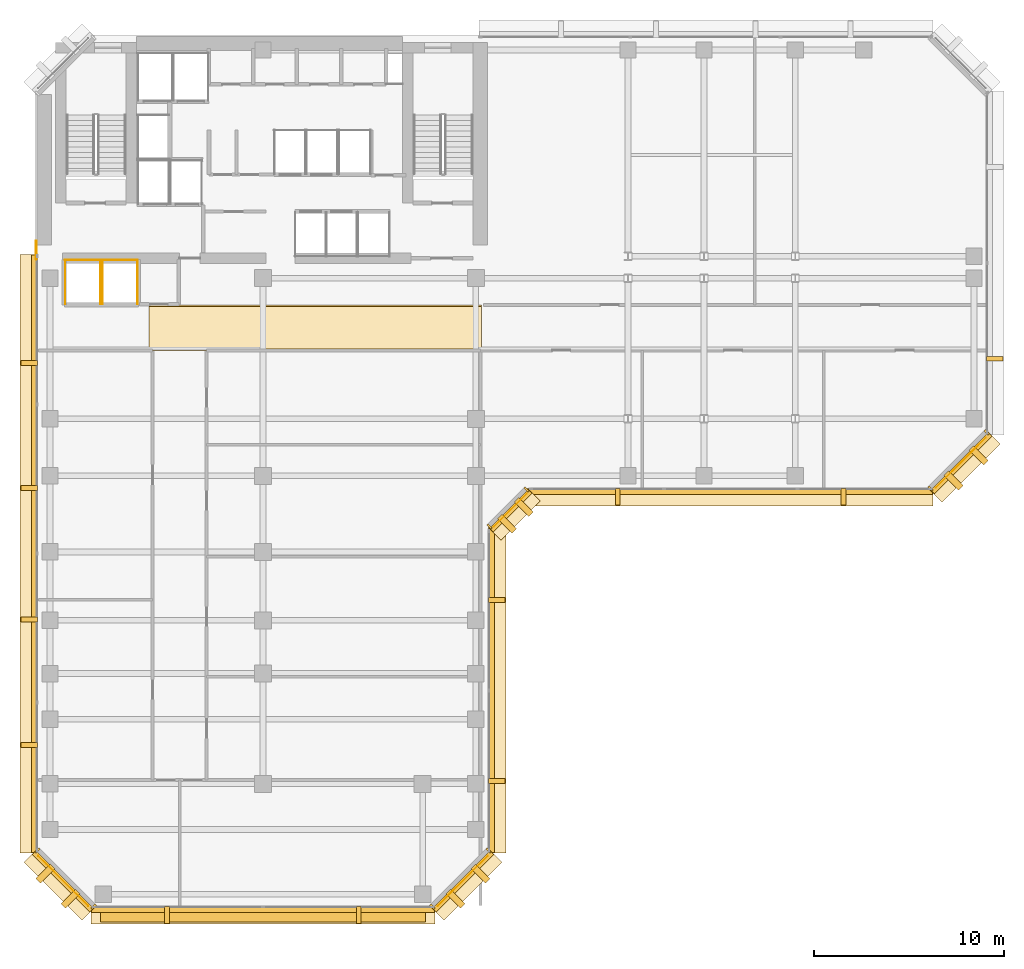
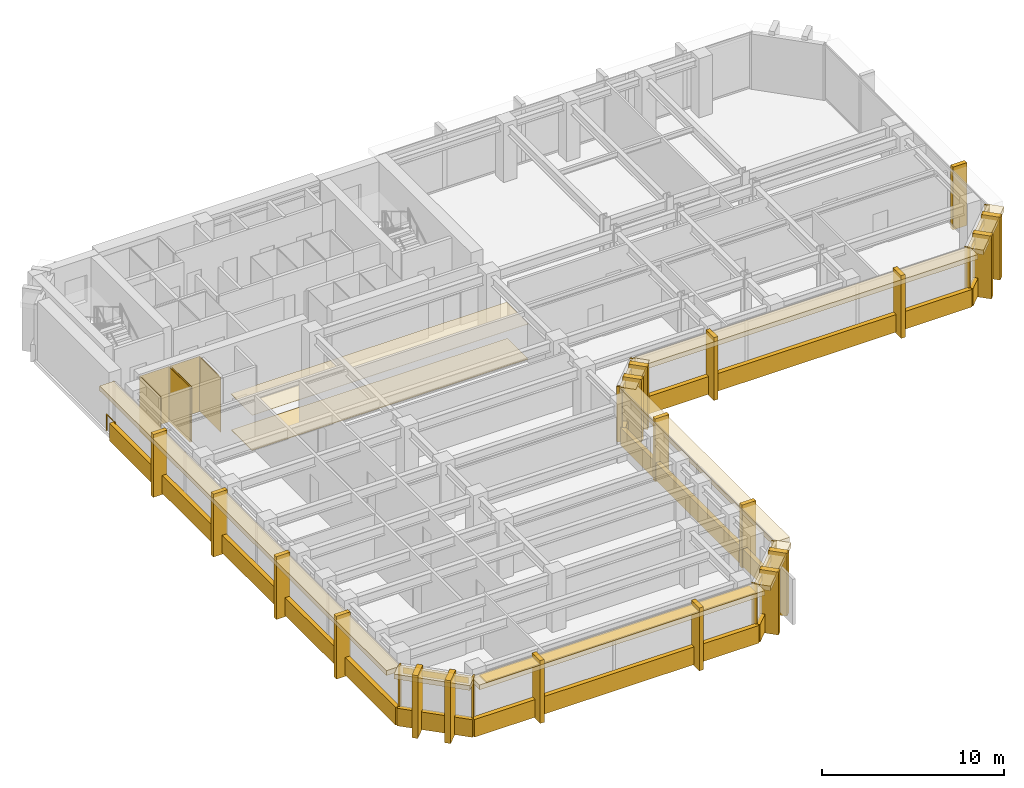
# One storey, part 9 of 11: 55 coverings, 1 railing, 1 shading device.
"""IFC4 building model written with IfcOpenShell, lengths in metres."""

import ifcopenshell
import ifcopenshell.guid

model = None  # the IFC model being written
_history = None  # IfcOwnerHistory: only IFC2X3 demands one
_inside = {}  # id of a spatial element -> (the spatial element, [elements in it])
_under = {}  # id of a project, library or spatial element -> (it, [spatial elements below it])
_declared = {}  # id of a project -> (the project, [libraries it declares])
_typed = {}  # id of a type object -> (the type object, [elements of that type])
_made_of = {}  # id of a material, layer set ... -> (it, [elements and type objects made of it])


def new_model(schema):
    """Start an empty IFC model of exactly this schema.

    Asked for "IFC4X3", IfcOpenShell would pick the latest addendum, in which some entities
    have other attributes; the version numbers below select the first issue.
    IFC2X3 requires an IfcOwnerHistory on every rooted entity: one is made here for all.
    """
    global model, _history
    if schema == "IFC4X3":
        model = ifcopenshell.file(schema_version=(4, 3, 0, 0))
    else:
        model = ifcopenshell.file(schema=schema)
    _inside.clear()
    _under.clear()
    _declared.clear()
    _typed.clear()
    _made_of.clear()
    _history = None
    if model.schema == "IFC2X3":
        org = make("IfcOrganization", Name="unknown")
        user = make(
            "IfcPersonAndOrganization",
            ThePerson=make("IfcPerson", FamilyName="unknown"),
            TheOrganization=org,
        )
        app = make(
            "IfcApplication",
            ApplicationDeveloper=org,
            Version="unknown",
            ApplicationFullName="unknown",
            ApplicationIdentifier="unknown",
        )
        _history = make(
            "IfcOwnerHistory",
            OwningUser=user,
            OwningApplication=app,
            ChangeAction="ADDED",
            CreationDate=0,
        )
    return model


def make(cls, **values):
    """One entity of the class cls with the attributes given. An attribute that is None is left unset."""
    return model.create_entity(
        cls, **{name: value for name, value in values.items() if value is not None}
    )


def rooted(cls, **values):
    """An entity with a GlobalId (a new one), such as an element, a storey or a relation."""
    return make(cls, GlobalId=ifcopenshell.guid.new(), OwnerHistory=_history, **values)


def si_unit(unit_type, name, prefix=None):
    """IfcSIUnit, for example si_unit("LENGTHUNIT", "METRE", prefix="MILLI")."""
    return make("IfcSIUnit", UnitType=unit_type, Prefix=prefix, Name=name)


def assignment(units):
    """IfcUnitAssignment: the units of a project."""
    return None if units is None else make("IfcUnitAssignment", Units=units)


def point(xyz):
    """IfcCartesianPoint."""
    return None if xyz is None else make("IfcCartesianPoint", Coordinates=xyz)


def direction(xyz):
    """IfcDirection."""
    return None if xyz is None else make("IfcDirection", DirectionRatios=xyz)


def frame(location, z_axis=None, x_axis=None):
    """IfcAxis2Placement3D, a coordinate frame: its origin and axes. An axis left out is left unset."""
    return make(
        "IfcAxis2Placement3D",
        Location=point(location),
        Axis=direction(z_axis),
        RefDirection=direction(x_axis),
    )


def frame_2d(location, x_axis=None):
    """IfcAxis2Placement2D, a coordinate frame in the plane: its origin and x axis."""
    return make(
        "IfcAxis2Placement2D", Location=point(location), RefDirection=direction(x_axis)
    )


def origin():
    """The frame at (0, 0, 0) with its axes left unset."""
    return frame((0.0, 0.0, 0.0))


def origin_2d():
    """The frame at (0, 0) in the plane with its x axis left unset."""
    return frame_2d((0.0, 0.0))


def place(relative_to, where):
    """IfcLocalPlacement: puts the frame where relative to a parent placement (None: the world)."""
    return make(
        "IfcLocalPlacement", PlacementRelTo=relative_to, RelativePlacement=where
    )


def context(
    kind, dimensions, precision=None, world=None, true_north=None, identifier=None
):
    """IfcGeometricRepresentationContext, for example the 3D "Model" context."""
    return make(
        "IfcGeometricRepresentationContext",
        ContextIdentifier=identifier,
        ContextType=kind,
        CoordinateSpaceDimension=dimensions,
        Precision=precision,
        WorldCoordinateSystem=world,
        TrueNorth=true_north,
    )


def subcontext(parent, identifier, kind, view, scale=None):
    """IfcGeometricRepresentationSubContext, for example "Body" below "Model"."""
    return make(
        "IfcGeometricRepresentationSubContext",
        ContextIdentifier=identifier,
        ContextType=kind,
        ParentContext=parent,
        TargetScale=scale,
        TargetView=view,
    )


def project(units=None, contexts=None):
    """IfcProject with its units and contexts."""
    return rooted(
        "IfcProject",
        Name="project",
        RepresentationContexts=contexts,
        UnitsInContext=assignment(units),
    )


def spatial(cls, under=None, at=None, **own):
    """A site, building, storey or space (cls), placed at a placement, below another one or the project."""
    s = rooted(cls, ObjectPlacement=at, **own)
    if under is not None:
        _under.setdefault(under.id(), (under, []))[1].append(s)
    return s


def polyline(points):
    """IfcPolyline through the points."""
    return make("IfcPolyline", Points=[point(p) for p in points])


def profile(cls, at=None, kind="AREA", **sizes):
    """A parametric profile (cls). Its sizes go by their IFC names, for example OverallWidth=200.0."""
    return make(cls, ProfileType=kind, Position=at, **sizes)


def rectangle(**sizes):
    """IfcRectangleProfileDef."""
    return profile("IfcRectangleProfileDef", **sizes)


def circle(**sizes):
    """IfcCircleProfileDef."""
    return profile("IfcCircleProfileDef", **sizes)


def outline(outer, holes=None, kind="AREA"):
    """IfcArbitraryClosedProfileDef: a profile drawn as a closed curve; with holes, ...WithVoids."""
    if holes is None:
        return make("IfcArbitraryClosedProfileDef", ProfileType=kind, OuterCurve=outer)
    return make(
        "IfcArbitraryProfileDefWithVoids",
        ProfileType=kind,
        OuterCurve=outer,
        InnerCurves=holes,
    )


def extrude(swept, where, along, depth):
    """IfcExtrudedAreaSolid: the profile swept, set in the frame where, extruded along a direction by depth."""
    return make(
        "IfcExtrudedAreaSolid",
        SweptArea=swept,
        Position=where,
        ExtrudedDirection=direction(along),
        Depth=depth,
    )


def shape(context_of_items, identifier, shape_type, items):
    """IfcShapeRepresentation: the items that make up one representation, for example the "Body"."""
    return make(
        "IfcShapeRepresentation",
        ContextOfItems=context_of_items,
        RepresentationIdentifier=identifier,
        RepresentationType=shape_type,
        Items=items,
    )


def material(Name=None, Category=None):
    """IfcMaterial."""
    return make("IfcMaterial", Name=Name, Category=Category)


def layer(
    of_material, thickness, ventilated=None, Name=None, Category=None, Priority=None
):
    """IfcMaterialLayer: one layer of a wall or slab, of a material (None: an air gap)."""
    return make(
        "IfcMaterialLayer",
        Material=of_material,
        LayerThickness=thickness,
        IsVentilated=ventilated,
        Name=Name,
        Category=Category,
        Priority=Priority,
    )


def layer_set(layers, Name=None):
    """IfcMaterialLayerSet."""
    return make("IfcMaterialLayerSet", MaterialLayers=layers, LayerSetName=Name)


def made_of(thing, what):
    """Note that an element or type object is made of a material, layer set ...; save() writes the relation."""
    if what is not None:
        _made_of.setdefault(what.id(), (what, []))[1].append(thing)
    return thing


def type_object(cls, material=None, **own):
    """A type object (cls), such as IfcWallType, which elements share."""
    return made_of(rooted(cls, **own), material)


def element(
    cls,
    number,
    at=None,
    inside=None,
    cuts=None,
    type_object=None,
    material=None,
    context=None,
    identifier="Body",
    shape_type=None,
    held_by="IfcProductDefinitionShape",
    body=None,
    shapes=None,
    **own,
):
    """One element of the class cls, such as IfcWall. Its Tag is "e" and its number.

    at: its placement. inside: the storey or other place that contains it. cuts: it is an
    opening in that element (IfcRelVoidsElement). A single representation is given by context,
    identifier, shape_type and body (its items); several are given by shapes. held_by: the class
    of the entity that holds the representations. save() writes the other relations.
    """
    e = rooted(cls, Tag="e%d" % number, ObjectPlacement=at, **own)
    if body is not None:
        shapes = [shape(context, identifier, shape_type, body)]
    if shapes is not None:
        e.Representation = make(held_by, Representations=shapes)
    if inside is not None:
        _inside.setdefault(inside.id(), (inside, []))[1].append(e)
    if cuts is not None:
        rooted(
            "IfcRelVoidsElement", RelatingBuildingElement=cuts, RelatedOpeningElement=e
        )
    if type_object is not None:
        _typed.setdefault(type_object.id(), (type_object, []))[1].append(e)
    return made_of(e, material)


def aggregate(whole, parts):
    """IfcRelAggregates: a whole, such as a stair, and the parts it consists of."""
    return rooted("IfcRelAggregates", RelatingObject=whole, RelatedObjects=parts)


def save(model, path):
    """Write the relations noted so far, then the file.

    IfcRelAggregates (storeys below a building ...), IfcRelContainedInSpatialStructure (elements
    in a storey), IfcRelDefinesByType, IfcRelAssociatesMaterial and IfcRelDeclares: one each for
    every whole, place, type object, material and project.
    """
    for whole, parts in _under.values():
        aggregate(whole, parts)
    for where, things in _inside.values():
        rooted(
            "IfcRelContainedInSpatialStructure",
            RelatedElements=things,
            RelatingStructure=where,
        )
    for kind, things in _typed.values():
        rooted("IfcRelDefinesByType", RelatedObjects=things, RelatingType=kind)
    for what, things in _made_of.values():
        rooted("IfcRelAssociatesMaterial", RelatedObjects=things, RelatingMaterial=what)
    for by, libraries in _declared.values():
        rooted("IfcRelDeclares", RelatingContext=by, RelatedDefinitions=libraries)
    model.write(path)


model = new_model("IFC4")

# Units and contexts
model_context = context("Model", 3, precision=1e-05, world=origin(), true_north=direction((0.0, 1.0)))
body_context = subcontext(model_context, "Body", "Model", "MODEL_VIEW")
ifc_project = project(units=[si_unit("LENGTHUNIT", "METRE"), si_unit("AREAUNIT", "SQUARE_METRE"), si_unit("VOLUMEUNIT", "CUBIC_METRE"), si_unit("PLANEANGLEUNIT", "RADIAN"), si_unit("MASSUNIT", "GRAM", prefix="KILO")], contexts=[model_context])

# Site, building, storey
site_placement = place(None, origin())
site = spatial("IfcSite", under=ifc_project, at=site_placement, CompositionType="ELEMENT")
building_placement = place(site_placement, origin())
building = spatial("IfcBuilding", under=site, at=building_placement, Name="Kefirva Bronze Tower", CompositionType="ELEMENT")
storey_placement = place(building_placement, frame((0.0, 0.0, 150.81005859375)))
storey = spatial("IfcBuildingStorey", under=building, at=storey_placement, Name="L36", CompositionType="ELEMENT", Elevation=150.81005859375)

# Coverings
ifc_material_1 = material(Name="Acoustic mineral tile")
ifc_layer_1 = layer(ifc_material_1, 0.02490234375, Name="Acoustic mineral tile")
ifc_layer_set_1 = layer_set([ifc_layer_1], Name="Acoustic mineral tile")
covering_type_1 = type_object("IfcCoveringType", Name="Acoustic Mineral Suspended Ceiling 25mm", PredefinedType="CEILING", material=ifc_layer_set_1)
covering_1_placement = place(storey_placement, frame((0.0, 0.0, 2.39990234375)))
element("IfcCovering", 1, at=covering_1_placement, inside=storey, type_object=covering_type_1, Name="L36 Corridor Acoustic Ceiling", PredefinedType="CEILING", context=body_context, shape_type="SweptSolid", body=[
    extrude(outline(polyline([(6.0, 29.39990234375), (23.5, 29.39990234375), (23.5, 31.800048828125), (6.0, 31.800048828125), (6.0, 29.39990234375)])), origin(), (0.0, 0.0, 1.0), 0.025146484375),
])
ifc_material_2 = material(Name="Bronze anodised aluminium", Category="aluminium")
ifc_layer_2 = layer(ifc_material_2, 0.02001953125, Name="Bronze anodised aluminium")
ifc_layer_set_2 = layer_set([ifc_layer_2], Name="Bronze anodised aluminium")
covering_type_2 = type_object("IfcCoveringType", Name="Anodised Bronze Spandrel Cladding 20mm", PredefinedType="CLADDING", material=ifc_layer_set_2)
covering_2_placement = place(storey_placement, frame((12.0, -0.0400390625, -0.16015625), z_axis=(0.0, 0.0, 1.0), x_axis=(1.0, 0.0, 0.0)))
element("IfcCovering", 2, at=covering_2_placement, inside=storey, type_object=covering_type_2, Name="L36 Streamline Horizontal Spandrel Band 0", PredefinedType="CLADDING", context=body_context, shape_type="SweptSolid", body=[
    extrude(rectangle(XDim=18.0400390625, YDim=0.280029296875, at=origin_2d()), origin(), (0.0, 0.0, 1.0), 1.179931640625),
])
covering_3_placement = place(storey_placement, frame((22.507080078125, 1.492919921875, 3.2900390625), z_axis=(0.0, 0.0, 1.0), x_axis=(0.707106781187, 0.707106781187, 0.0)))
element("IfcCovering", 3, at=covering_3_placement, inside=storey, type_object=covering_type_2, Name="L36 Bronze Spandrel Cladding 1", PredefinedType="CLADDING", context=body_context, shape_type="SweptSolid", body=[
    extrude(rectangle(XDim=3.719482421875, YDim=0.02001953125, at=origin_2d()), origin(), (0.0, 0.0, 1.0), 0.39990234375),
])
for number, where, z_axis, x_axis, name in (
    (4, (20.91162109375, 0.137939453125, 0.0), (0.0, 0.0, 1.0), (0.707106781187, 0.707106781187, 0.0), "L36 Facade Joint Closure Panel 1S"),
    (5, (23.862060546875, 3.08837890625, 0.0), (0.0, 0.0, 1.0), (0.707106781187, 0.707106781187, 0.0), "L36 Facade Joint Closure Panel 1E"),
):
    element("IfcCovering", number, at=place(storey_placement, frame(where, z_axis=z_axis, x_axis=x_axis)), inside=storey, type_object=covering_type_2, Name=name, PredefinedType="CLADDING", context=body_context, shape_type="SweptSolid", body=[
        extrude(rectangle(XDim=0.10009765625, YDim=0.320068359375, at=origin_2d()), origin(), (0.0, 0.0, 1.0), 3.7099609375),
    ])
covering_4_placement = place(storey_placement, frame((22.5283203125, 1.4716796875, -0.16015625), z_axis=(0.0, 0.0, 1.0), x_axis=(0.707106781187, 0.707106781187, 0.0)))
element("IfcCovering", 6, at=covering_4_placement, inside=storey, type_object=covering_type_2, Name="L36 Streamline Horizontal Spandrel Band 1", PredefinedType="CLADDING", context=body_context, shape_type="SweptSolid", body=[
    extrude(rectangle(XDim=4.28271484375, YDim=0.280029296875, at=origin_2d()), origin(), (0.0, 0.0, 1.0), 1.179931640625),
])
covering_5_placement = place(storey_placement, frame((24.0400390625, 11.5, -0.16015625), z_axis=(0.0, 0.0, 1.0), x_axis=(0.0, 1.0, 0.0)))
element("IfcCovering", 7, at=covering_5_placement, inside=storey, type_object=covering_type_2, Name="L36 Streamline Horizontal Spandrel Band 2", PredefinedType="CLADDING", context=body_context, shape_type="SweptSolid", body=[
    extrude(rectangle(XDim=17.0400390625, YDim=0.280029296875, at=origin_2d()), origin(), (0.0, 0.0, 1.0), 1.179931640625),
])
covering_6_placement = place(storey_placement, frame((25.007080078125, 20.992919921875, 3.2900390625), z_axis=(0.0, 0.0, 1.0), x_axis=(0.707106781187, 0.707106781187, 0.0)))
element("IfcCovering", 8, at=covering_6_placement, inside=storey, type_object=covering_type_2, Name="L36 Bronze Spandrel Cladding 2", PredefinedType="CLADDING", context=body_context, shape_type="SweptSolid", body=[
    extrude(rectangle(XDim=2.446533203125, YDim=0.02001953125, at=origin_2d()), origin(), (0.0, 0.0, 1.0), 0.39990234375),
])
for number, where, z_axis, x_axis, name in (
    (9, (23.91162109375, 20.137939453125, 0.0), (0.0, 0.0, 1.0), (0.707106781187, 0.707106781187, 0.0), "L36 Facade Joint Closure Panel 2S"),
    (10, (25.862060546875, 22.08837890625, 0.0), (0.0, 0.0, 1.0), (0.707106781187, 0.707106781187, 0.0), "L36 Facade Joint Closure Panel 2E"),
):
    element("IfcCovering", number, at=place(storey_placement, frame(where, z_axis=z_axis, x_axis=x_axis)), inside=storey, type_object=covering_type_2, Name=name, PredefinedType="CLADDING", context=body_context, shape_type="SweptSolid", body=[
        extrude(rectangle(XDim=0.10009765625, YDim=0.320068359375, at=origin_2d()), origin(), (0.0, 0.0, 1.0), 3.7099609375),
    ])
covering_7_placement = place(storey_placement, frame((25.0283203125, 20.9716796875, -0.16015625), z_axis=(0.0, 0.0, 1.0), x_axis=(0.707106781187, 0.707106781187, 0.0)))
element("IfcCovering", 11, at=covering_7_placement, inside=storey, type_object=covering_type_2, Name="L36 Streamline Horizontal Spandrel Band 3", PredefinedType="CLADDING", context=body_context, shape_type="SweptSolid", body=[
    extrude(rectangle(XDim=2.868408203125, YDim=0.280029296875, at=origin_2d()), origin(), (0.0, 0.0, 1.0), 1.179931640625),
])
covering_8_placement = place(storey_placement, frame((36.60009765625, 21.9599609375, -0.16015625), z_axis=(0.0, 0.0, 1.0), x_axis=(1.0, 0.0, 0.0)))
element("IfcCovering", 12, at=covering_8_placement, inside=storey, type_object=covering_type_2, Name="L36 Streamline Horizontal Spandrel Band 4", PredefinedType="CLADDING", context=body_context, shape_type="SweptSolid", body=[
    extrude(rectangle(XDim=21.239990234375, YDim=0.280029296875, at=origin_2d()), origin(), (0.0, 0.0, 1.0), 1.179931640625),
])
covering_9_placement = place(storey_placement, frame((48.70703125, 23.492919921875, 3.2900390625), z_axis=(0.0, 0.0, 1.0), x_axis=(0.707106781187, 0.707106781187, 0.0)))
element("IfcCovering", 13, at=covering_9_placement, inside=storey, type_object=covering_type_2, Name="L36 Bronze Spandrel Cladding 3", PredefinedType="CLADDING", context=body_context, shape_type="SweptSolid", body=[
    extrude(rectangle(XDim=3.719482421875, YDim=0.02001953125, at=origin_2d()), origin(), (0.0, 0.0, 1.0), 0.39990234375),
])
for number, where, z_axis, x_axis, name in (
    (14, (47.11181640625, 22.137939453125, 0.0), (0.0, 0.0, 1.0), (0.707106781187, 0.707106781187, 0.0), "L36 Facade Joint Closure Panel 3S"),
    (15, (50.06201171875, 25.08837890625, 0.0), (0.0, 0.0, 1.0), (0.707106781187, 0.707106781187, 0.0), "L36 Facade Joint Closure Panel 3E"),
):
    element("IfcCovering", number, at=place(storey_placement, frame(where, z_axis=z_axis, x_axis=x_axis)), inside=storey, type_object=covering_type_2, Name=name, PredefinedType="CLADDING", context=body_context, shape_type="SweptSolid", body=[
        extrude(rectangle(XDim=0.10009765625, YDim=0.320068359375, at=origin_2d()), origin(), (0.0, 0.0, 1.0), 3.7099609375),
    ])
covering_10_placement = place(storey_placement, frame((48.728271484375, 23.4716796875, -0.16015625), z_axis=(0.0, 0.0, 1.0), x_axis=(0.707106781187, 0.707106781187, 0.0)))
element("IfcCovering", 16, at=covering_10_placement, inside=storey, type_object=covering_type_2, Name="L36 Streamline Horizontal Spandrel Band 5", PredefinedType="CLADDING", context=body_context, shape_type="SweptSolid", body=[
    extrude(rectangle(XDim=4.28271484375, YDim=0.280029296875, at=origin_2d()), origin(), (0.0, 0.0, 1.0), 1.179931640625),
])
covering_11_placement = place(storey_placement, frame((-0.0400390625, 18.697509765625, -0.16015625), z_axis=(0.0, 0.0, 1.0), x_axis=(0.0, -1.0, 0.0)))
element("IfcCovering", 17, at=covering_11_placement, inside=storey, type_object=covering_type_2, Name="L36 Streamline Horizontal Spandrel Band 10", PredefinedType="CLADDING", context=body_context, shape_type="SweptSolid", body=[
    extrude(rectangle(XDim=31.43505859375, YDim=0.280029296875, at=origin_2d()), origin(), (0.0, 0.0, 1.0), 1.179931640625),
])
covering_12_placement = place(storey_placement, frame((1.492919921875, 1.492919921875, 3.2900390625), z_axis=(0.0, 0.0, 1.0), x_axis=(0.707106781187, -0.707106781187, 0.0)))
element("IfcCovering", 18, at=covering_12_placement, inside=storey, type_object=covering_type_2, Name="L36 Bronze Spandrel Cladding 6", PredefinedType="CLADDING", context=body_context, shape_type="SweptSolid", body=[
    extrude(rectangle(XDim=3.719482421875, YDim=0.02001953125, at=origin_2d()), origin(), (0.0, 0.0, 1.0), 0.39990234375),
])
for number, where, z_axis, x_axis, name in (
    (19, (0.137939453125, 3.08837890625, 0.0), (0.0, 0.0, 1.0), (0.707106781187, -0.707106781187, 0.0), "L36 Facade Joint Closure Panel 6S"),
    (20, (3.08837890625, 0.137939453125, 0.0), (0.0, 0.0, 1.0), (0.707106781187, -0.707106781187, 0.0), "L36 Facade Joint Closure Panel 6E"),
):
    element("IfcCovering", number, at=place(storey_placement, frame(where, z_axis=z_axis, x_axis=x_axis)), inside=storey, type_object=covering_type_2, Name=name, PredefinedType="CLADDING", context=body_context, shape_type="SweptSolid", body=[
        extrude(rectangle(XDim=0.10009765625, YDim=0.320068359375, at=origin_2d()), origin(), (0.0, 0.0, 1.0), 3.7099609375),
    ])
covering_13_placement = place(storey_placement, frame((1.4716796875, 1.4716796875, -0.16015625), z_axis=(0.0, 0.0, 1.0), x_axis=(0.707106781187, -0.707106781187, 0.0)))
element("IfcCovering", 21, at=covering_13_placement, inside=storey, type_object=covering_type_2, Name="L36 Streamline Horizontal Spandrel Band 11", PredefinedType="CLADDING", context=body_context, shape_type="SweptSolid", body=[
    extrude(rectangle(XDim=4.28271484375, YDim=0.280029296875, at=origin_2d()), origin(), (0.0, 0.0, 1.0), 1.179931640625),
])
covering_14_placement = place(storey_placement, origin())
element("IfcCovering", 22, at=covering_14_placement, inside=storey, type_object=covering_type_2, Name="L36 Lift OB1 Hoistway Liner N", PredefinedType="CLADDING", context=body_context, shape_type="SweptSolid", body=[
    extrude(outline(polyline([(1.580078125, 34.139892578125), (3.469970703125, 34.139892578125), (3.469970703125, 34.159912109375), (1.580078125, 34.159912109375), (1.580078125, 34.139892578125)])), origin(), (0.0, 0.0, 1.0), 3.7099609375),
])
covering_15_placement = place(storey_placement, origin())
element("IfcCovering", 23, at=covering_15_placement, inside=storey, type_object=covering_type_2, Name="L36 Lift OB1 Hoistway Liner W", PredefinedType="CLADDING", context=body_context, shape_type="SweptSolid", body=[
    extrude(outline(polyline([(1.590087890625, 31.830078125), (1.610107421875, 31.830078125), (1.610107421875, 34.169921875), (1.590087890625, 34.169921875), (1.590087890625, 31.830078125)])), origin(), (0.0, 0.0, 1.0), 3.7099609375),
])
covering_16_placement = place(storey_placement, origin())
element("IfcCovering", 24, at=covering_16_placement, inside=storey, type_object=covering_type_2, Name="L36 Lift OB1 Hoistway Liner E", PredefinedType="CLADDING", context=body_context, shape_type="SweptSolid", body=[
    extrude(outline(polyline([(3.43994140625, 31.830078125), (3.4599609375, 31.830078125), (3.4599609375, 34.169921875), (3.43994140625, 34.169921875), (3.43994140625, 31.830078125)])), origin(), (0.0, 0.0, 1.0), 3.7099609375),
])
covering_17_placement = place(storey_placement, origin())
element("IfcCovering", 25, at=covering_17_placement, inside=storey, type_object=covering_type_2, Name="L36 Lift OB2 Hoistway Liner N", PredefinedType="CLADDING", context=body_context, shape_type="SweptSolid", body=[
    extrude(outline(polyline([(3.530029296875, 34.139892578125), (5.419921875, 34.139892578125), (5.419921875, 34.159912109375), (3.530029296875, 34.159912109375), (3.530029296875, 34.139892578125)])), origin(), (0.0, 0.0, 1.0), 3.7099609375),
])
covering_18_placement = place(storey_placement, origin())
element("IfcCovering", 26, at=covering_18_placement, inside=storey, type_object=covering_type_2, Name="L36 Lift OB2 Hoistway Liner W", PredefinedType="CLADDING", context=body_context, shape_type="SweptSolid", body=[
    extrude(outline(polyline([(3.5400390625, 31.830078125), (3.56005859375, 31.830078125), (3.56005859375, 34.169921875), (3.5400390625, 34.169921875), (3.5400390625, 31.830078125)])), origin(), (0.0, 0.0, 1.0), 3.7099609375),
])
covering_19_placement = place(storey_placement, origin())
element("IfcCovering", 27, at=covering_19_placement, inside=storey, type_object=covering_type_2, Name="L36 Lift OB2 Hoistway Liner E", PredefinedType="CLADDING", context=body_context, shape_type="SweptSolid", body=[
    extrude(outline(polyline([(5.389892578125, 31.830078125), (5.409912109375, 31.830078125), (5.409912109375, 34.169921875), (5.389892578125, 34.169921875), (5.389892578125, 31.830078125)])), origin(), (0.0, 0.0, 1.0), 3.7099609375),
])

# Shading device
ifc_layer_3 = layer(ifc_material_2, 0.090087890625, Name="Bronze anodised aluminium")
ifc_layer_set_3 = layer_set([ifc_layer_3], Name="Bronze anodised aluminium")
shading_device_type = type_object("IfcShadingDeviceType", Name="Horizontal Bronze Sunshade Band 750mm", PredefinedType="JALOUSIE", material=ifc_layer_set_3)
shading_device_placement = place(storey_placement, frame((12.0, -0.294921875, 3.60498046875), z_axis=(0.0, 0.0, 1.0), x_axis=(1.0, 0.0, 0.0)))
element("IfcShadingDevice", 28, at=shading_device_placement, inside=storey, type_object=shading_device_type, Name="L36 Horizontal Bronze Sunshade Band 0", PredefinedType="JALOUSIE", context=body_context, shape_type="SweptSolid", body=[
    extrude(rectangle(XDim=17.090087890625, YDim=0.75, at=origin_2d()), origin(), (0.0, 0.0, 1.0), 0.090087890625),
])

# Railing
ifc_material_3 = material(Name="Stainless steel 316", Category="steel")
railing_type = type_object("IfcRailingType", Name="Interior Stair Guardrail 1100mm", PredefinedType="GUARDRAIL", material=ifc_material_3)
railing_placement = place(storey_placement, frame((0.080078125, 34.199951171875, 0.0)))
element("IfcRailing", 29, at=railing_placement, inside=storey, type_object=railing_type, Name="L36 West Core Junction Guardrail", PredefinedType="GUARDRAIL", context=body_context, shape_type="SweptSolid", body=[
    extrude(circle(Radius=0.02392578125, at=origin_2d()), frame((0.0, 0.0, 1.076171875), z_axis=(0.0, 1.0, 0.0), x_axis=(-1.0, 0.0, 0.0)), (0.0, 0.0, 1.0), 0.949951171875),
    extrude(circle(Radius=0.02099609375, at=origin_2d()), origin(), (0.0, 0.0, 1.0), 1.052001953125),
    extrude(circle(Radius=0.02099609375, at=origin_2d()), frame((0.0, 0.949951171875, 0.0)), (0.0, 0.0, 1.0), 1.052001953125),
])

# Coverings
ifc_material_4 = material(Name="Calcium sulphate access tile")
ifc_layer_4 = layer(ifc_material_4, 0.044921875, Name="Calcium sulphate access tile")
ifc_layer_set_4 = layer_set([ifc_layer_4], Name="Calcium sulphate access tile")
covering_type_3 = type_object("IfcCoveringType", Name="Raised Access Office Flooring 45mm", PredefinedType="FLOORING", material=ifc_layer_set_4)
covering_20_placement = place(storey_placement, origin())
element("IfcCovering", 30, at=covering_20_placement, inside=storey, type_object=covering_type_3, Name="L36 Architectural Finish Flooring", PredefinedType="FLOORING", context=body_context, shape_type="SweptSolid", body=[
    extrude(outline(polyline([(6.0, 29.47998046875), (23.5, 29.47998046875), (23.5, 31.719970703125), (6.0, 31.719970703125), (6.0, 29.47998046875)])), origin(), (0.0, 0.0, 1.0), 0.044921875),
])
ifc_layer_5 = layer(ifc_material_2, 0.179931640625, Name="Bronze anodised aluminium")
ifc_layer_set_5 = layer_set([ifc_layer_5], Name="Bronze anodised aluminium")
covering_type_4 = type_object("IfcCoveringType", Name="Streamline Bronze Sunshade Eyebrow Cladding 180mm", PredefinedType="CLADDING", material=ifc_layer_set_5)
covering_21_placement = place(storey_placement, frame((12.0, -0.31005859375, 3.39013671875), z_axis=(0.0, 0.0, 1.0), x_axis=(1.0, 0.0, 0.0)))
element("IfcCovering", 31, at=covering_21_placement, inside=storey, type_object=covering_type_4, Name="L36 Streamline Bronze Sunshade Eyebrow 0", PredefinedType="CLADDING", context=body_context, shape_type="SweptSolid", body=[
    extrude(rectangle(XDim=18.080078125, YDim=0.93994140625, at=origin_2d()), origin(), (0.0, 0.0, 1.0), 0.320068359375),
])
covering_22_placement = place(storey_placement, frame((22.71923828125, 1.28076171875, 3.39013671875), z_axis=(0.0, 0.0, 1.0), x_axis=(0.707106781187, 0.707106781187, 0.0)))
element("IfcCovering", 32, at=covering_22_placement, inside=storey, type_object=covering_type_4, Name="L36 Streamline Bronze Sunshade Eyebrow 1", PredefinedType="CLADDING", context=body_context, shape_type="SweptSolid", body=[
    extrude(rectangle(XDim=4.322509765625, YDim=0.93994140625, at=origin_2d()), origin(), (0.0, 0.0, 1.0), 0.320068359375),
])
covering_23_placement = place(storey_placement, frame((24.31005859375, 11.5, 3.39013671875), z_axis=(0.0, 0.0, 1.0), x_axis=(0.0, 1.0, 0.0)))
element("IfcCovering", 33, at=covering_23_placement, inside=storey, type_object=covering_type_4, Name="L36 Streamline Bronze Sunshade Eyebrow 2", PredefinedType="CLADDING", context=body_context, shape_type="SweptSolid", body=[
    extrude(rectangle(XDim=17.080078125, YDim=0.93994140625, at=origin_2d()), origin(), (0.0, 0.0, 1.0), 0.320068359375),
])
covering_24_placement = place(storey_placement, frame((25.21923828125, 20.78076171875, 3.39013671875), z_axis=(0.0, 0.0, 1.0), x_axis=(0.707106781187, 0.707106781187, 0.0)))
element("IfcCovering", 34, at=covering_24_placement, inside=storey, type_object=covering_type_4, Name="L36 Streamline Bronze Sunshade Eyebrow 3", PredefinedType="CLADDING", context=body_context, shape_type="SweptSolid", body=[
    extrude(rectangle(XDim=2.908447265625, YDim=0.93994140625, at=origin_2d()), origin(), (0.0, 0.0, 1.0), 0.320068359375),
])
covering_25_placement = place(storey_placement, frame((36.60009765625, 21.68994140625, 3.39013671875), z_axis=(0.0, 0.0, 1.0), x_axis=(1.0, 0.0, 0.0)))
element("IfcCovering", 35, at=covering_25_placement, inside=storey, type_object=covering_type_4, Name="L36 Streamline Bronze Sunshade Eyebrow 4", PredefinedType="CLADDING", context=body_context, shape_type="SweptSolid", body=[
    extrude(rectangle(XDim=21.280029296875, YDim=0.93994140625, at=origin_2d()), origin(), (0.0, 0.0, 1.0), 0.320068359375),
])
covering_26_placement = place(storey_placement, frame((48.919189453125, 23.28076171875, 3.39013671875), z_axis=(0.0, 0.0, 1.0), x_axis=(0.707106781187, 0.707106781187, 0.0)))
element("IfcCovering", 36, at=covering_26_placement, inside=storey, type_object=covering_type_4, Name="L36 Streamline Bronze Sunshade Eyebrow 5", PredefinedType="CLADDING", context=body_context, shape_type="SweptSolid", body=[
    extrude(rectangle(XDim=4.322509765625, YDim=0.93994140625, at=origin_2d()), origin(), (0.0, 0.0, 1.0), 0.320068359375),
])
covering_27_placement = place(storey_placement, frame((-0.31005859375, 18.697509765625, 3.39013671875), z_axis=(0.0, 0.0, 1.0), x_axis=(0.0, -1.0, 0.0)))
element("IfcCovering", 37, at=covering_27_placement, inside=storey, type_object=covering_type_4, Name="L36 Streamline Bronze Sunshade Eyebrow 10", PredefinedType="CLADDING", context=body_context, shape_type="SweptSolid", body=[
    extrude(rectangle(XDim=31.47509765625, YDim=0.93994140625, at=origin_2d()), origin(), (0.0, 0.0, 1.0), 0.320068359375),
])
covering_28_placement = place(storey_placement, frame((1.28076171875, 1.28076171875, 3.39013671875), z_axis=(0.0, 0.0, 1.0), x_axis=(0.707106781187, -0.707106781187, 0.0)))
element("IfcCovering", 38, at=covering_28_placement, inside=storey, type_object=covering_type_4, Name="L36 Streamline Bronze Sunshade Eyebrow 11", PredefinedType="CLADDING", context=body_context, shape_type="SweptSolid", body=[
    extrude(rectangle(XDim=4.322509765625, YDim=0.93994140625, at=origin_2d()), origin(), (0.0, 0.0, 1.0), 0.320068359375),
])
ifc_layer_6 = layer(ifc_material_2, 0.260009765625, Name="Bronze anodised aluminium")
ifc_layer_set_6 = layer_set([ifc_layer_6], Name="Bronze anodised aluminium")
covering_type_5 = type_object("IfcCoveringType", Name="Unbroken Bronze Buttress Fin Cladding 260mm", PredefinedType="CLADDING", material=ifc_layer_set_6)
for number, where, z_axis, x_axis, name in (
    (39, (6.9599609375, -0.300048828125, -0.25), (0.0, 0.0, 1.0), (1.0, 0.0, 0.0), "L36 Unbroken Vertical Bronze Rib Fin 1"),
    (40, (17.0400390625, -0.300048828125, -0.25), (0.0, 0.0, 1.0), (1.0, 0.0, 0.0), "L36 Unbroken Vertical Bronze Rib Fin 2"),
):
    element("IfcCovering", number, at=place(storey_placement, frame(where, z_axis=z_axis, x_axis=x_axis)), inside=storey, type_object=covering_type_5, Name=name, PredefinedType="CLADDING", context=body_context, shape_type="SweptSolid", body=[
        extrude(rectangle(XDim=0.260009765625, YDim=0.8798828125, at=origin_2d()), origin(), (0.0, 0.0, 1.0), 4.2099609375),
    ])
for number, where, z_axis, x_axis, name in (
    (41, (22.122802734375, 0.55712890625, -0.25), (0.0, 0.0, 1.0), (0.707106781187, 0.707106781187, 0.0), "L36 Chamfered Corner Buttress Fin Cladding 3"),
    (42, (23.44287109375, 1.877197265625, -0.25), (0.0, 0.0, 1.0), (0.707106781187, 0.707106781187, 0.0), "L36 Chamfered Corner Buttress Fin Cladding 4"),
):
    element("IfcCovering", number, at=place(storey_placement, frame(where, z_axis=z_axis, x_axis=x_axis)), inside=storey, type_object=covering_type_5, Name=name, PredefinedType="CLADDING", context=body_context, shape_type="SweptSolid", body=[
        extrude(rectangle(XDim=0.340087890625, YDim=1.080078125, at=origin_2d()), origin(), (0.0, 0.0, 1.0), 4.2099609375),
    ])
for number, where, z_axis, x_axis, name in (
    (43, (24.300048828125, 6.739990234375, -0.25), (0.0, 0.0, 1.0), (0.0, 1.0, 0.0), "L36 Unbroken Vertical Bronze Rib Fin 5"),
    (44, (24.300048828125, 16.260009765625, -0.25), (0.0, 0.0, 1.0), (0.0, 1.0, 0.0), "L36 Unbroken Vertical Bronze Rib Fin 6"),
):
    element("IfcCovering", number, at=place(storey_placement, frame(where, z_axis=z_axis, x_axis=x_axis)), inside=storey, type_object=covering_type_5, Name=name, PredefinedType="CLADDING", context=body_context, shape_type="SweptSolid", body=[
        extrude(rectangle(XDim=0.260009765625, YDim=0.8798828125, at=origin_2d()), origin(), (0.0, 0.0, 1.0), 4.2099609375),
    ])
for number, where, z_axis, x_axis, name in (
    (45, (24.8427734375, 20.277099609375, -0.25), (0.0, 0.0, 1.0), (0.707106781187, 0.707106781187, 0.0), "L36 Chamfered Corner Buttress Fin Cladding 7"),
    (46, (25.722900390625, 21.1572265625, -0.25), (0.0, 0.0, 1.0), (0.707106781187, 0.707106781187, 0.0), "L36 Chamfered Corner Buttress Fin Cladding 8"),
):
    element("IfcCovering", number, at=place(storey_placement, frame(where, z_axis=z_axis, x_axis=x_axis)), inside=storey, type_object=covering_type_5, Name=name, PredefinedType="CLADDING", context=body_context, shape_type="SweptSolid", body=[
        extrude(rectangle(XDim=0.340087890625, YDim=1.080078125, at=origin_2d()), origin(), (0.0, 0.0, 1.0), 4.2099609375),
    ])
for number, where, z_axis, x_axis, name in (
    (47, (30.6640625, 21.699951171875, -0.25), (0.0, 0.0, 1.0), (1.0, 0.0, 0.0), "L36 Unbroken Vertical Bronze Rib Fin 9"),
    (48, (42.535888671875, 21.699951171875, -0.25), (0.0, 0.0, 1.0), (1.0, 0.0, 0.0), "L36 Unbroken Vertical Bronze Rib Fin 10"),
):
    element("IfcCovering", number, at=place(storey_placement, frame(where, z_axis=z_axis, x_axis=x_axis)), inside=storey, type_object=covering_type_5, Name=name, PredefinedType="CLADDING", context=body_context, shape_type="SweptSolid", body=[
        extrude(rectangle(XDim=0.260009765625, YDim=0.8798828125, at=origin_2d()), origin(), (0.0, 0.0, 1.0), 4.2099609375),
    ])
for number, where, z_axis, x_axis, name in (
    (49, (48.32275390625, 22.55712890625, -0.25), (0.0, 0.0, 1.0), (0.707106781187, 0.707106781187, 0.0), "L36 Chamfered Corner Buttress Fin Cladding 11"),
    (50, (49.642822265625, 23.877197265625, -0.25), (0.0, 0.0, 1.0), (0.707106781187, 0.707106781187, 0.0), "L36 Chamfered Corner Buttress Fin Cladding 12"),
):
    element("IfcCovering", number, at=place(storey_placement, frame(where, z_axis=z_axis, x_axis=x_axis)), inside=storey, type_object=covering_type_5, Name=name, PredefinedType="CLADDING", context=body_context, shape_type="SweptSolid", body=[
        extrude(rectangle(XDim=0.340087890625, YDim=1.080078125, at=origin_2d()), origin(), (0.0, 0.0, 1.0), 4.2099609375),
    ])
for number, where, z_axis, x_axis, name in (
    (51, (50.5, 28.9599609375, -0.25), (0.0, 0.0, 1.0), (0.0, 1.0, 0.0), "L36 Unbroken Vertical Bronze Rib Fin 13"),
    (52, (-0.300048828125, 28.743896484375, -0.25), (0.0, 0.0, 1.0), (0.0, -1.0, 0.0), "L36 Unbroken Vertical Bronze Rib Fin 23"),
    (53, (-0.300048828125, 22.15087890625, -0.25), (0.0, 0.0, 1.0), (0.0, -1.0, 0.0), "L36 Unbroken Vertical Bronze Rib Fin 24"),
    (54, (-0.300048828125, 15.244140625, -0.25), (0.0, 0.0, 1.0), (0.0, -1.0, 0.0), "L36 Unbroken Vertical Bronze Rib Fin 25"),
    (55, (-0.300048828125, 8.651123046875, -0.25), (0.0, 0.0, 1.0), (0.0, -1.0, 0.0), "L36 Unbroken Vertical Bronze Rib Fin 26"),
):
    element("IfcCovering", number, at=place(storey_placement, frame(where, z_axis=z_axis, x_axis=x_axis)), inside=storey, type_object=covering_type_5, Name=name, PredefinedType="CLADDING", context=body_context, shape_type="SweptSolid", body=[
        extrude(rectangle(XDim=0.260009765625, YDim=0.8798828125, at=origin_2d()), origin(), (0.0, 0.0, 1.0), 4.2099609375),
    ])
for number, where, z_axis, x_axis, name in (
    (56, (0.55712890625, 1.877197265625, -0.25), (0.0, 0.0, 1.0), (0.707106781187, -0.707106781187, 0.0), "L36 Chamfered Corner Buttress Fin Cladding 27"),
    (57, (1.877197265625, 0.55712890625, -0.25), (0.0, 0.0, 1.0), (0.707106781187, -0.707106781187, 0.0), "L36 Chamfered Corner Buttress Fin Cladding 28"),
):
    element("IfcCovering", number, at=place(storey_placement, frame(where, z_axis=z_axis, x_axis=x_axis)), inside=storey, type_object=covering_type_5, Name=name, PredefinedType="CLADDING", context=body_context, shape_type="SweptSolid", body=[
        extrude(rectangle(XDim=0.340087890625, YDim=1.080078125, at=origin_2d()), origin(), (0.0, 0.0, 1.0), 4.2099609375),
    ])

save(model, "model.ifc")
